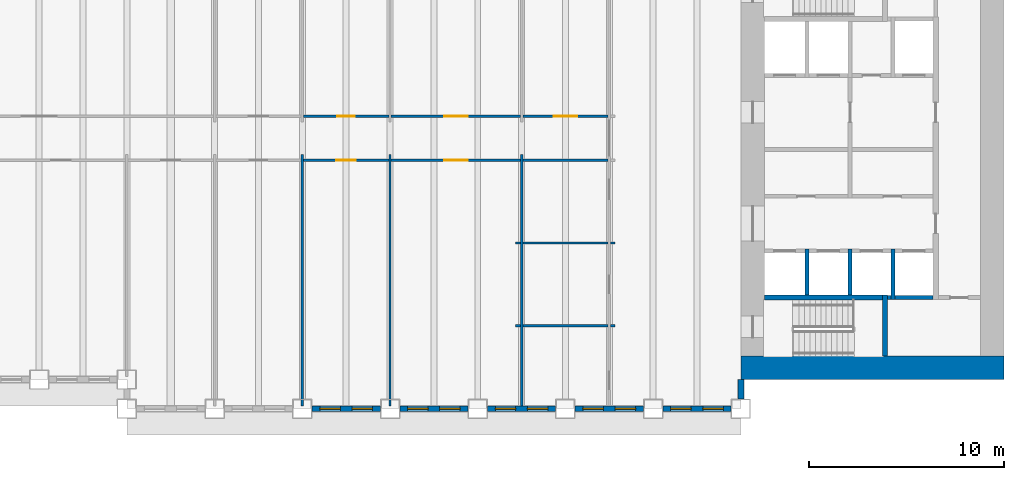
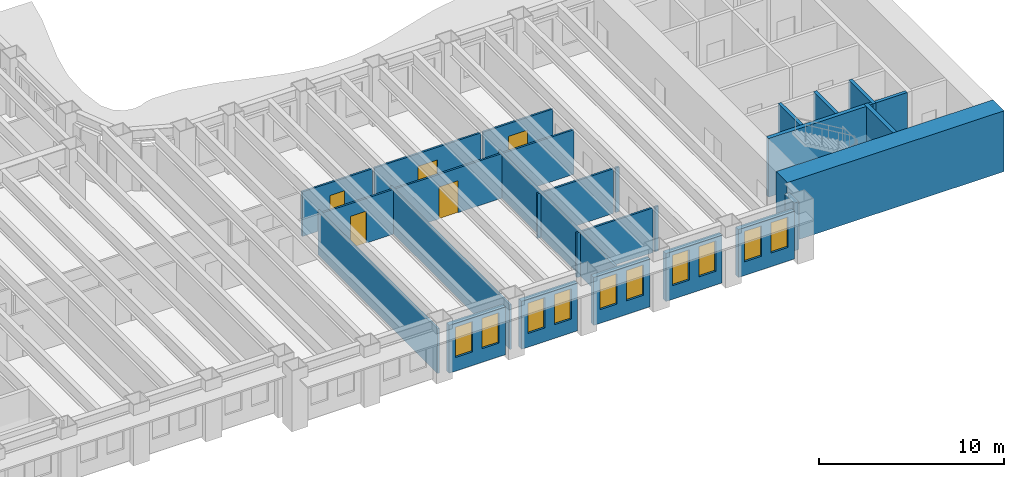
# One storey, part 5 of 16: 29 walls, 10 windows, 5 doors, 15 openings.
"""IFC4 building model written with IfcOpenShell, lengths in metres."""

from ifc_helpers import new_model, si_unit, direction, frame, frame_2d, origin, place, context, subcontext, project, spatial, rectangle, extrude, material, layer, layer_set, type_object, element, fill, save


model = new_model("IFC4")

# Units and contexts
model_context = context("Model", 3, precision=1e-05, world=origin(), true_north=direction((0.0, 1.0)))
body_context = subcontext(model_context, "Body", "Model", "MODEL_VIEW")
ifc_project = project(units=[si_unit("LENGTHUNIT", "METRE"), si_unit("AREAUNIT", "SQUARE_METRE"), si_unit("VOLUMEUNIT", "CUBIC_METRE"), si_unit("PLANEANGLEUNIT", "RADIAN"), si_unit("MASSUNIT", "GRAM", prefix="KILO")], contexts=[model_context])

# Site, building, storey
site_placement = place(None, origin())
site = spatial("IfcSite", under=ifc_project, at=site_placement, CompositionType="ELEMENT")
building_placement = place(site_placement, origin())
building = spatial("IfcBuilding", under=site, at=building_placement, Name="Sennacour Bend Tower", CompositionType="ELEMENT")
storey_placement = place(building_placement, frame((0.0, 0.0, 91.0)))
storey = spatial("IfcBuildingStorey", under=building, at=storey_placement, Name="L20", CompositionType="ELEMENT", Elevation=91.0)

# Walls
ifc_material_1 = material(Name="Concrete C80/95", Category="concrete")
ifc_layer_1 = layer(ifc_material_1, 1.199951171875, Name="Concrete C80/95", Category="concrete")
ifc_layer_set_1 = layer_set([ifc_layer_1], Name="Concrete C80/95")
wall_type_1 = type_object("IfcWallType", Name="Core wall 1200 C80/95", PredefinedType="SHEAR", material=ifc_layer_set_1)
wall_1_placement = place(storey_placement, frame((67.5, 0.60009765625, -0.14990234375), z_axis=(0.0, 0.0, 1.0), x_axis=(-1.0, 0.0, 0.0)))
element("IfcWall", 1, at=wall_1_placement, inside=storey, type_object=wall_type_1, Name="Core A wall L20 S", PredefinedType="SHEAR", context=body_context, shape_type="SweptSolid", body=[
    extrude(rectangle(XDim=13.5, YDim=1.199951171875, at=frame_2d((6.75, 0.0))), origin(), (0.0, 0.0, 1.0), 4.0),
])
ifc_material_2 = material(Name="Plasterboard partition on steel studs", Category="steel")
ifc_layer_2 = layer(ifc_material_2, 0.1201171875, Name="Plasterboard partition on steel studs", Category="steel")
ifc_layer_set_2 = layer_set([ifc_layer_2], Name="Plasterboard partition on steel studs")
wall_type_2 = type_object("IfcWallType", Name="Partition 120", PredefinedType="PARTITIONING", material=ifc_layer_set_2)
for number, where, z_axis, x_axis, name in (
    (2, (31.5, -1.35009765625, 0.0), (0.0, 0.0, 1.0), (0.0, 1.0, 0.0), "P-L20-W028a"),
    (3, (36.0, -1.35009765625, 0.0), (0.0, 0.0, 1.0), (0.0, 1.0, 0.0), "P-L20-W030a"),
    (4, (42.75, -1.35009765625, 0.0), (0.0, 0.0, 1.0), (0.0, 1.0, 0.0), "P-L20-W032a"),
):
    element("IfcWall", number, at=place(storey_placement, frame(where, z_axis=z_axis, x_axis=x_axis)), inside=storey, type_object=wall_type_2, Name=name, PredefinedType="PARTITIONING", context=body_context, shape_type="SweptSolid", body=[
        extrude(rectangle(XDim=12.900146484375, YDim=0.1201171875, at=frame_2d((6.4501953125, 0.0))), origin(), (0.0, 0.0, 1.0), 2.93798828125),
    ])
wall_2_placement = place(storey_placement, frame((42.449951171875, 2.75, 0.0), z_axis=(0.0, 0.0, 1.0), x_axis=(1.0, 0.0, 0.0)))
element("IfcWall", 5, at=wall_2_placement, inside=storey, type_object=wall_type_2, Name="P-L20-W049aa", PredefinedType="PARTITIONING", context=body_context, shape_type="SweptSolid", body=[
    extrude(rectangle(XDim=0.239990234375, YDim=0.1201171875, at=frame_2d((0.1201171875, 0.0))), origin(), (0.0, 0.0, 1.0), 2.93798828125),
])
wall_3_placement = place(storey_placement, frame((42.81005859375, 2.75, 0.0), z_axis=(0.0, 0.0, 1.0), x_axis=(1.0, 0.0, 0.0)))
element("IfcWall", 6, at=wall_3_placement, inside=storey, type_object=wall_type_2, Name="P-L20-W049ab", PredefinedType="PARTITIONING", context=body_context, shape_type="SweptSolid", body=[
    extrude(rectangle(XDim=4.3798828125, YDim=0.1201171875, at=frame_2d((2.18994140625, 0.0))), origin(), (0.0, 0.0, 1.0), 2.93798828125),
])
for number, where, z_axis, x_axis, name in (
    (7, (47.31005859375, 2.75, 0.0), (0.0, 0.0, 1.0), (1.0, 0.0, 0.0), "P-L20-W049ac"),
    (8, (42.449951171875, 7.0, 0.0), (0.0, 0.0, 1.0), (1.0, 0.0, 0.0), "P-L20-W056aa"),
):
    element("IfcWall", number, at=place(storey_placement, frame(where, z_axis=z_axis, x_axis=x_axis)), inside=storey, type_object=wall_type_2, Name=name, PredefinedType="PARTITIONING", context=body_context, shape_type="SweptSolid", body=[
        extrude(rectangle(XDim=0.239990234375, YDim=0.1201171875, at=frame_2d((0.1201171875, 0.0))), origin(), (0.0, 0.0, 1.0), 2.93798828125),
    ])
wall_4_placement = place(storey_placement, frame((42.81005859375, 7.0, 0.0), z_axis=(0.0, 0.0, 1.0), x_axis=(1.0, 0.0, 0.0)))
element("IfcWall", 9, at=wall_4_placement, inside=storey, type_object=wall_type_2, Name="P-L20-W056ab", PredefinedType="PARTITIONING", context=body_context, shape_type="SweptSolid", body=[
    extrude(rectangle(XDim=4.3798828125, YDim=0.1201171875, at=frame_2d((2.18994140625, 0.0))), origin(), (0.0, 0.0, 1.0), 2.93798828125),
])
wall_5_placement = place(storey_placement, frame((47.31005859375, 7.0, 0.0), z_axis=(0.0, 0.0, 1.0), x_axis=(1.0, 0.0, 0.0)))
element("IfcWall", 10, at=wall_5_placement, inside=storey, type_object=wall_type_2, Name="P-L20-W056ac", PredefinedType="PARTITIONING", context=body_context, shape_type="SweptSolid", body=[
    extrude(rectangle(XDim=0.239990234375, YDim=0.1201171875, at=frame_2d((0.1201171875, 0.0))), origin(), (0.0, 0.0, 1.0), 2.93798828125),
])

# Wall, opening, door
wall_6_placement = place(storey_placement, frame((31.56005859375, 11.25, 0.0), z_axis=(0.0, 0.0, 1.0), x_axis=(1.0, 0.0, 0.0)))
wall_6 = element("IfcWall", 11, at=wall_6_placement, inside=storey, type_object=wall_type_2, Name="P-L20-W058af", PredefinedType="PARTITIONING", context=body_context, shape_type="SweptSolid", body=[
    extrude(rectangle(XDim=4.3798828125, YDim=0.1201171875, at=frame_2d((2.18994140625, 0.0))), origin(), (0.0, 0.0, 1.0), 2.93798828125),
])
opening_1_placement = place(wall_6_placement, frame((1.68994140625, 0.0, 0.0)))
opening_1 = element("IfcOpeningElement", 12, at=opening_1_placement, cuts=wall_6, Name="Opening MD2", PredefinedType="OPENING", context=body_context, shape_type="SweptSolid", body=[
    extrude(rectangle(XDim=1.0, YDim=2.10009765625, at=frame_2d((0.5, 1.050048828125))), frame((0.0, 0.070068359375, 0.0), z_axis=(0.0, -1.0, 0.0), x_axis=(1.0, 0.0, 0.0)), (0.0, 0.0, 1.0), 0.14013671875),
])
ifc_material_3 = material(Name="Timber", Category="wood")
door_type_1 = type_object("IfcDoorType", Name="DR-MEETING-1000", OperationType="NOTDEFINED", PredefinedType="DOOR", material=ifc_material_3)
door_1_placement = place(opening_1_placement, origin())
door_1 = element("IfcDoor", 13, at=door_1_placement, inside=storey, type_object=door_type_1, Name="Door", OperationType="SINGLE_SWING_LEFT", OverallHeight=2.10009765625, OverallWidth=1.0, PredefinedType="DOOR", context=body_context, shape_type="SweptSolid", body=[
    extrude(rectangle(XDim=1.0, YDim=2.10009765625, at=frame_2d((0.5, 1.050048828125))), frame((0.0, 0.02490234375, 0.0), z_axis=(0.0, -1.0, 0.0), x_axis=(1.0, 0.0, 0.0)), (0.0, 0.0, 1.0), 0.050048828125),
])
fill(opening_1, door_1)

wall_7_placement = place(storey_placement, frame((36.06005859375, 11.25, 0.0), z_axis=(0.0, 0.0, 1.0), x_axis=(1.0, 0.0, 0.0)))
wall_7 = element("IfcWall", 14, at=wall_7_placement, inside=storey, type_object=wall_type_2, Name="P-L20-W058ag", PredefinedType="PARTITIONING", context=body_context, shape_type="SweptSolid", body=[
    extrude(rectangle(XDim=6.6298828125, YDim=0.1201171875, at=frame_2d((3.31494140625, 0.0))), origin(), (0.0, 0.0, 1.0), 2.93798828125),
])
opening_2_placement = place(wall_7_placement, frame((2.71484375, 0.0, 0.0)))
opening_2 = element("IfcOpeningElement", 15, at=opening_2_placement, cuts=wall_7, Name="Opening OD", PredefinedType="OPENING", context=body_context, shape_type="SweptSolid", body=[
    extrude(rectangle(XDim=1.199951171875, YDim=2.10009765625, at=frame_2d((0.60009765625, 1.050048828125))), frame((0.0, 0.070068359375, 0.0), z_axis=(0.0, -1.0, 0.0), x_axis=(1.0, 0.0, 0.0)), (0.0, 0.0, 1.0), 0.14013671875),
])
door_type_2 = type_object("IfcDoorType", Name="DR-OFFICE-1200", OperationType="NOTDEFINED", PredefinedType="DOOR", material=ifc_material_3)
door_2_placement = place(opening_2_placement, origin())
door_2 = element("IfcDoor", 16, at=door_2_placement, inside=storey, type_object=door_type_2, Name="Door", OperationType="SINGLE_SWING_LEFT", OverallHeight=2.10009765625, OverallWidth=1.199951171875, PredefinedType="DOOR", context=body_context, shape_type="SweptSolid", body=[
    extrude(rectangle(XDim=1.199951171875, YDim=2.10009765625, at=frame_2d((0.60009765625, 1.050048828125))), frame((0.0, 0.02490234375, 0.0), z_axis=(0.0, -1.0, 0.0), x_axis=(1.0, 0.0, 0.0)), (0.0, 0.0, 1.0), 0.050048828125),
])
fill(opening_2, door_2)

# Wall
wall_8_placement = place(storey_placement, frame((42.81005859375, 11.25, 0.0), z_axis=(0.0, 0.0, 1.0), x_axis=(1.0, 0.0, 0.0)))
element("IfcWall", 17, at=wall_8_placement, inside=storey, type_object=wall_type_2, Name="P-L20-W058ah", PredefinedType="PARTITIONING", context=body_context, shape_type="SweptSolid", body=[
    extrude(rectangle(XDim=4.3798828125, YDim=0.1201171875, at=frame_2d((2.18994140625, 0.0))), origin(), (0.0, 0.0, 1.0), 2.93798828125),
])

# Wall, opening, door
wall_9_placement = place(storey_placement, frame((36.06005859375, 13.5, 0.0), z_axis=(0.0, 0.0, 1.0), x_axis=(1.0, 0.0, 0.0)))
wall_9 = element("IfcWall", 18, at=wall_9_placement, inside=storey, type_object=wall_type_2, Name="P-L20-W060af", PredefinedType="PARTITIONING", context=body_context, shape_type="SweptSolid", body=[
    extrude(rectangle(XDim=6.6298828125, YDim=0.1201171875, at=frame_2d((3.31494140625, 0.0))), origin(), (0.0, 0.0, 1.0), 2.93798828125),
])
opening_3_placement = place(wall_9_placement, frame((2.71484375, 0.0, 0.0)))
opening_3 = element("IfcOpeningElement", 19, at=opening_3_placement, cuts=wall_9, Name="Opening MD", PredefinedType="OPENING", context=body_context, shape_type="SweptSolid", body=[
    extrude(rectangle(XDim=1.199951171875, YDim=2.10009765625, at=frame_2d((0.60009765625, 1.050048828125))), frame((0.0, 0.070068359375, 0.0), z_axis=(0.0, -1.0, 0.0), x_axis=(1.0, 0.0, 0.0)), (0.0, 0.0, 1.0), 0.14013671875),
])
door_type_3 = type_object("IfcDoorType", Name="DR-MEETING-1200", OperationType="NOTDEFINED", PredefinedType="DOOR", material=ifc_material_3)
door_3_placement = place(opening_3_placement, origin())
door_3 = element("IfcDoor", 20, at=door_3_placement, inside=storey, type_object=door_type_3, Name="Door", OperationType="SINGLE_SWING_LEFT", OverallHeight=2.10009765625, OverallWidth=1.199951171875, PredefinedType="DOOR", context=body_context, shape_type="SweptSolid", body=[
    extrude(rectangle(XDim=1.199951171875, YDim=2.10009765625, at=frame_2d((0.60009765625, 1.050048828125))), frame((0.0, 0.02490234375, 0.0), z_axis=(0.0, -1.0, 0.0), x_axis=(1.0, 0.0, 0.0)), (0.0, 0.0, 1.0), 0.050048828125),
])
fill(opening_3, door_3)

wall_10_placement = place(storey_placement, frame((42.81005859375, 13.5, 0.0), z_axis=(0.0, 0.0, 1.0), x_axis=(1.0, 0.0, 0.0)))
wall_10 = element("IfcWall", 21, at=wall_10_placement, inside=storey, type_object=wall_type_2, Name="P-L20-W060ag", PredefinedType="PARTITIONING", context=body_context, shape_type="SweptSolid", body=[
    extrude(rectangle(XDim=4.3798828125, YDim=0.1201171875, at=frame_2d((2.18994140625, 0.0))), origin(), (0.0, 0.0, 1.0), 2.93798828125),
])
opening_4_placement = place(wall_10_placement, frame((1.58984375, 0.0, 0.0)))
opening_4 = element("IfcOpeningElement", 22, at=opening_4_placement, cuts=wall_10, Name="Opening OD", PredefinedType="OPENING", context=body_context, shape_type="SweptSolid", body=[
    extrude(rectangle(XDim=1.199951171875, YDim=2.10009765625, at=frame_2d((0.60009765625, 1.050048828125))), frame((0.0, 0.070068359375, 0.0), z_axis=(0.0, -1.0, 0.0), x_axis=(1.0, 0.0, 0.0)), (0.0, 0.0, 1.0), 0.14013671875),
])
door_4_placement = place(opening_4_placement, origin())
door_4 = element("IfcDoor", 23, at=door_4_placement, inside=storey, type_object=door_type_2, Name="Door", OperationType="SINGLE_SWING_LEFT", OverallHeight=2.10009765625, OverallWidth=1.199951171875, PredefinedType="DOOR", context=body_context, shape_type="SweptSolid", body=[
    extrude(rectangle(XDim=1.199951171875, YDim=2.10009765625, at=frame_2d((0.60009765625, 1.050048828125))), frame((0.0, 0.02490234375, 0.0), z_axis=(0.0, -1.0, 0.0), x_axis=(1.0, 0.0, 0.0)), (0.0, 0.0, 1.0), 0.050048828125),
])
fill(opening_4, door_4)

ifc_layer_3 = layer(ifc_material_2, 0.1201171875, Name="Plasterboard partition on steel studs", Category="steel")
ifc_layer_set_3 = layer_set([ifc_layer_3], Name="Plasterboard partition on steel studs")
wall_type_3 = type_object("IfcWallType", Name="Partition 120 EI 60", PredefinedType="PARTITIONING", material=ifc_layer_set_3)
wall_11_placement = place(storey_placement, frame((31.56005859375, 13.5, 0.0), z_axis=(0.0, 0.0, 1.0), x_axis=(1.0, 0.0, 0.0)))
wall_11 = element("IfcWall", 24, at=wall_11_placement, inside=storey, type_object=wall_type_3, Name="P-L20-W060ae", PredefinedType="PARTITIONING", context=body_context, shape_type="SweptSolid", body=[
    extrude(rectangle(XDim=4.3798828125, YDim=0.1201171875, at=frame_2d((2.18994140625, 0.0))), origin(), (0.0, 0.0, 1.0), 2.93798828125),
])
opening_5_placement = place(wall_11_placement, frame((1.739990234375, 0.0, 0.0)))
opening_5 = element("IfcOpeningElement", 25, at=opening_5_placement, cuts=wall_11, Name="Opening SV", PredefinedType="OPENING", context=body_context, shape_type="SweptSolid", body=[
    extrude(rectangle(XDim=0.89990234375, YDim=2.10009765625, at=frame_2d((0.449951171875, 1.050048828125))), frame((0.0, 0.070068359375, 0.0), z_axis=(0.0, -1.0, 0.0), x_axis=(1.0, 0.0, 0.0)), (0.0, 0.0, 1.0), 0.14013671875),
])
ifc_material_4 = material(Name="Painted steel", Category="steel")
door_type_4 = type_object("IfcDoorType", Name="DR-SERVICE-900", OperationType="NOTDEFINED", PredefinedType="DOOR", material=ifc_material_4)
door_5_placement = place(opening_5_placement, origin())
door_5 = element("IfcDoor", 26, at=door_5_placement, inside=storey, type_object=door_type_4, Name="Door", OperationType="SINGLE_SWING_LEFT", OverallHeight=2.10009765625, OverallWidth=0.89990234375, PredefinedType="DOOR", context=body_context, shape_type="SweptSolid", body=[
    extrude(rectangle(XDim=0.89990234375, YDim=2.10009765625, at=frame_2d((0.449951171875, 1.050048828125))), frame((0.0, 0.02490234375, 0.0), z_axis=(0.0, -1.0, 0.0), x_axis=(1.0, 0.0, 0.0)), (0.0, 0.0, 1.0), 0.050048828125),
])
fill(opening_5, door_5)

# Wall, openings, windows
ifc_material_5 = material(Name="Warm limestone cladding", Category="masonry")
ifc_layer_4 = layer(ifc_material_5, 0.050048828125, Name="Warm limestone cladding", Category="masonry")
ifc_material_6 = material(Name="Precast concrete C40/50", Category="concrete")
ifc_layer_5 = layer(ifc_material_6, 0.25, Name="Precast concrete C40/50", Category="concrete")
ifc_layer_set_4 = layer_set([ifc_layer_4, ifc_layer_5], Name="Precast concrete C40/50 with limestone cladding")
wall_type_4 = type_object("IfcWallType", Name="STONE-CLAD PRECAST SPANDREL 300", PredefinedType="STANDARD", material=ifc_layer_set_4)
wall_12_placement = place(storey_placement, frame((32.0, -1.5, 0.0), z_axis=(0.0, 0.0, 1.0), x_axis=(1.0, 0.0, 0.0)))
wall_12 = element("IfcWall", 27, at=wall_12_placement, inside=storey, type_object=wall_type_4, Name="Stone spandrel and pier wall L20 00.02", PredefinedType="STANDARD", context=body_context, shape_type="SweptSolid", body=[
    extrude(rectangle(XDim=3.5, YDim=0.300048828125, at=frame_2d((1.75, 0.0))), origin(), (0.0, 0.0, 1.0), 3.154052734375),
])
opening_6_placement = place(wall_12_placement, frame((0.39990234375, 0.0, 0.89990234375)))
opening_6 = element("IfcOpeningElement", 28, at=opening_6_placement, cuts=wall_12, Name="Opening W13", PredefinedType="OPENING", context=body_context, shape_type="SweptSolid", body=[
    extrude(rectangle(XDim=1.050048828125, YDim=2.0, at=frame_2d((0.52490234375, 1.0))), frame((0.0, 0.16015625, 0.0), z_axis=(0.0, -1.0, 0.0), x_axis=(1.0, 0.0, 0.0)), (0.0, 0.0, 1.0), 0.320068359375),
])
opening_7_placement = place(wall_12_placement, frame((2.050048828125, 0.0, 0.89990234375)))
opening_7 = element("IfcOpeningElement", 29, at=opening_7_placement, cuts=wall_12, Name="Opening W13", PredefinedType="OPENING", context=body_context, shape_type="SweptSolid", body=[
    extrude(rectangle(XDim=1.050048828125, YDim=2.0, at=frame_2d((0.52490234375, 1.0))), frame((0.0, 0.16015625, 0.0), z_axis=(0.0, -1.0, 0.0), x_axis=(1.0, 0.0, 0.0)), (0.0, 0.0, 1.0), 0.320068359375),
])
ifc_material_7 = material(Name="Clear low-emissivity glass", Category="glass")
window_type = type_object("IfcWindowType", Name="WIN-RIBBON-1050x2000", PartitioningType="SINGLE_PANEL", PredefinedType="WINDOW", material=ifc_material_7)
window_1_placement = place(opening_6_placement, origin())
window_1 = element("IfcWindow", 30, at=window_1_placement, inside=storey, type_object=window_type, Name="Ribbon window L20 00.02.0", OverallHeight=2.0, OverallWidth=1.050048828125, PartitioningType="SINGLE_PANEL", PredefinedType="WINDOW", context=body_context, shape_type="SweptSolid", body=[
    extrude(rectangle(XDim=1.050048828125, YDim=2.0, at=frame_2d((0.52490234375, 1.0))), frame((0.0, 0.030029296875, 0.0), z_axis=(0.0, -1.0, 0.0), x_axis=(1.0, 0.0, 0.0)), (0.0, 0.0, 1.0), 0.06005859375),
])
fill(opening_6, window_1)
window_2_placement = place(opening_7_placement, origin())
window_2 = element("IfcWindow", 31, at=window_2_placement, inside=storey, type_object=window_type, Name="Ribbon window L20 00.02.1", OverallHeight=2.0, OverallWidth=1.050048828125, PartitioningType="SINGLE_PANEL", PredefinedType="WINDOW", context=body_context, shape_type="SweptSolid", body=[
    extrude(rectangle(XDim=1.050048828125, YDim=2.0, at=frame_2d((0.52490234375, 1.0))), frame((0.0, 0.030029296875, 0.0), z_axis=(0.0, -1.0, 0.0), x_axis=(1.0, 0.0, 0.0)), (0.0, 0.0, 1.0), 0.06005859375),
])
fill(opening_7, window_2)

wall_13_placement = place(storey_placement, frame((36.5, -1.5, 0.0), z_axis=(0.0, 0.0, 1.0), x_axis=(1.0, 0.0, 0.0)))
wall_13 = element("IfcWall", 32, at=wall_13_placement, inside=storey, type_object=wall_type_4, Name="Stone spandrel and pier wall L20 00.03", PredefinedType="STANDARD", context=body_context, shape_type="SweptSolid", body=[
    extrude(rectangle(XDim=3.5, YDim=0.300048828125, at=frame_2d((1.75, 0.0))), origin(), (0.0, 0.0, 1.0), 3.154052734375),
])
opening_8_placement = place(wall_13_placement, frame((0.39990234375, 0.0, 0.89990234375)))
opening_8 = element("IfcOpeningElement", 33, at=opening_8_placement, cuts=wall_13, Name="Opening W13", PredefinedType="OPENING", context=body_context, shape_type="SweptSolid", body=[
    extrude(rectangle(XDim=1.050048828125, YDim=2.0, at=frame_2d((0.52490234375, 1.0))), frame((0.0, 0.16015625, 0.0), z_axis=(0.0, -1.0, 0.0), x_axis=(1.0, 0.0, 0.0)), (0.0, 0.0, 1.0), 0.320068359375),
])
opening_9_placement = place(wall_13_placement, frame((2.050048828125, 0.0, 0.89990234375)))
opening_9 = element("IfcOpeningElement", 34, at=opening_9_placement, cuts=wall_13, Name="Opening W13", PredefinedType="OPENING", context=body_context, shape_type="SweptSolid", body=[
    extrude(rectangle(XDim=1.050048828125, YDim=2.0, at=frame_2d((0.52490234375, 1.0))), frame((0.0, 0.16015625, 0.0), z_axis=(0.0, -1.0, 0.0), x_axis=(1.0, 0.0, 0.0)), (0.0, 0.0, 1.0), 0.320068359375),
])
window_3_placement = place(opening_8_placement, origin())
window_3 = element("IfcWindow", 35, at=window_3_placement, inside=storey, type_object=window_type, Name="Ribbon window L20 00.03.0", OverallHeight=2.0, OverallWidth=1.050048828125, PartitioningType="SINGLE_PANEL", PredefinedType="WINDOW", context=body_context, shape_type="SweptSolid", body=[
    extrude(rectangle(XDim=1.050048828125, YDim=2.0, at=frame_2d((0.52490234375, 1.0))), frame((0.0, 0.030029296875, 0.0), z_axis=(0.0, -1.0, 0.0), x_axis=(1.0, 0.0, 0.0)), (0.0, 0.0, 1.0), 0.06005859375),
])
fill(opening_8, window_3)
window_4_placement = place(opening_9_placement, origin())
window_4 = element("IfcWindow", 36, at=window_4_placement, inside=storey, type_object=window_type, Name="Ribbon window L20 00.03.1", OverallHeight=2.0, OverallWidth=1.050048828125, PartitioningType="SINGLE_PANEL", PredefinedType="WINDOW", context=body_context, shape_type="SweptSolid", body=[
    extrude(rectangle(XDim=1.050048828125, YDim=2.0, at=frame_2d((0.52490234375, 1.0))), frame((0.0, 0.030029296875, 0.0), z_axis=(0.0, -1.0, 0.0), x_axis=(1.0, 0.0, 0.0)), (0.0, 0.0, 1.0), 0.06005859375),
])
fill(opening_9, window_4)

wall_14_placement = place(storey_placement, frame((41.0, -1.5, 0.0), z_axis=(0.0, 0.0, 1.0), x_axis=(1.0, 0.0, 0.0)))
wall_14 = element("IfcWall", 37, at=wall_14_placement, inside=storey, type_object=wall_type_4, Name="Stone spandrel and pier wall L20 00.04", PredefinedType="STANDARD", context=body_context, shape_type="SweptSolid", body=[
    extrude(rectangle(XDim=3.5, YDim=0.300048828125, at=frame_2d((1.75, 0.0))), origin(), (0.0, 0.0, 1.0), 3.154052734375),
])
opening_10_placement = place(wall_14_placement, frame((0.39990234375, 0.0, 0.89990234375)))
opening_10 = element("IfcOpeningElement", 38, at=opening_10_placement, cuts=wall_14, Name="Opening W13", PredefinedType="OPENING", context=body_context, shape_type="SweptSolid", body=[
    extrude(rectangle(XDim=1.050048828125, YDim=2.0, at=frame_2d((0.52490234375, 1.0))), frame((0.0, 0.16015625, 0.0), z_axis=(0.0, -1.0, 0.0), x_axis=(1.0, 0.0, 0.0)), (0.0, 0.0, 1.0), 0.320068359375),
])
opening_11_placement = place(wall_14_placement, frame((2.050048828125, 0.0, 0.89990234375)))
opening_11 = element("IfcOpeningElement", 39, at=opening_11_placement, cuts=wall_14, Name="Opening W13", PredefinedType="OPENING", context=body_context, shape_type="SweptSolid", body=[
    extrude(rectangle(XDim=1.050048828125, YDim=2.0, at=frame_2d((0.52490234375, 1.0))), frame((0.0, 0.16015625, 0.0), z_axis=(0.0, -1.0, 0.0), x_axis=(1.0, 0.0, 0.0)), (0.0, 0.0, 1.0), 0.320068359375),
])
window_5_placement = place(opening_10_placement, origin())
window_5 = element("IfcWindow", 40, at=window_5_placement, inside=storey, type_object=window_type, Name="Ribbon window L20 00.04.0", OverallHeight=2.0, OverallWidth=1.050048828125, PartitioningType="SINGLE_PANEL", PredefinedType="WINDOW", context=body_context, shape_type="SweptSolid", body=[
    extrude(rectangle(XDim=1.050048828125, YDim=2.0, at=frame_2d((0.52490234375, 1.0))), frame((0.0, 0.030029296875, 0.0), z_axis=(0.0, -1.0, 0.0), x_axis=(1.0, 0.0, 0.0)), (0.0, 0.0, 1.0), 0.06005859375),
])
fill(opening_10, window_5)
window_6_placement = place(opening_11_placement, origin())
window_6 = element("IfcWindow", 41, at=window_6_placement, inside=storey, type_object=window_type, Name="Ribbon window L20 00.04.1", OverallHeight=2.0, OverallWidth=1.050048828125, PartitioningType="SINGLE_PANEL", PredefinedType="WINDOW", context=body_context, shape_type="SweptSolid", body=[
    extrude(rectangle(XDim=1.050048828125, YDim=2.0, at=frame_2d((0.52490234375, 1.0))), frame((0.0, 0.030029296875, 0.0), z_axis=(0.0, -1.0, 0.0), x_axis=(1.0, 0.0, 0.0)), (0.0, 0.0, 1.0), 0.06005859375),
])
fill(opening_11, window_6)

wall_15_placement = place(storey_placement, frame((45.5, -1.5, 0.0), z_axis=(0.0, 0.0, 1.0), x_axis=(1.0, 0.0, 0.0)))
wall_15 = element("IfcWall", 42, at=wall_15_placement, inside=storey, type_object=wall_type_4, Name="Stone spandrel and pier wall L20 00.05", PredefinedType="STANDARD", context=body_context, shape_type="SweptSolid", body=[
    extrude(rectangle(XDim=3.5, YDim=0.300048828125, at=frame_2d((1.75, 0.0))), origin(), (0.0, 0.0, 1.0), 3.154052734375),
])
opening_12_placement = place(wall_15_placement, frame((0.39990234375, 0.0, 0.89990234375)))
opening_12 = element("IfcOpeningElement", 43, at=opening_12_placement, cuts=wall_15, Name="Opening W13", PredefinedType="OPENING", context=body_context, shape_type="SweptSolid", body=[
    extrude(rectangle(XDim=1.050048828125, YDim=2.0, at=frame_2d((0.52490234375, 1.0))), frame((0.0, 0.16015625, 0.0), z_axis=(0.0, -1.0, 0.0), x_axis=(1.0, 0.0, 0.0)), (0.0, 0.0, 1.0), 0.320068359375),
])
opening_13_placement = place(wall_15_placement, frame((2.050048828125, 0.0, 0.89990234375)))
opening_13 = element("IfcOpeningElement", 44, at=opening_13_placement, cuts=wall_15, Name="Opening W13", PredefinedType="OPENING", context=body_context, shape_type="SweptSolid", body=[
    extrude(rectangle(XDim=1.050048828125, YDim=2.0, at=frame_2d((0.52490234375, 1.0))), frame((0.0, 0.16015625, 0.0), z_axis=(0.0, -1.0, 0.0), x_axis=(1.0, 0.0, 0.0)), (0.0, 0.0, 1.0), 0.320068359375),
])
window_7_placement = place(opening_12_placement, origin())
window_7 = element("IfcWindow", 45, at=window_7_placement, inside=storey, type_object=window_type, Name="Ribbon window L20 00.05.0", OverallHeight=2.0, OverallWidth=1.050048828125, PartitioningType="SINGLE_PANEL", PredefinedType="WINDOW", context=body_context, shape_type="SweptSolid", body=[
    extrude(rectangle(XDim=1.050048828125, YDim=2.0, at=frame_2d((0.52490234375, 1.0))), frame((0.0, 0.030029296875, 0.0), z_axis=(0.0, -1.0, 0.0), x_axis=(1.0, 0.0, 0.0)), (0.0, 0.0, 1.0), 0.06005859375),
])
fill(opening_12, window_7)
window_8_placement = place(opening_13_placement, origin())
window_8 = element("IfcWindow", 46, at=window_8_placement, inside=storey, type_object=window_type, Name="Ribbon window L20 00.05.1", OverallHeight=2.0, OverallWidth=1.050048828125, PartitioningType="SINGLE_PANEL", PredefinedType="WINDOW", context=body_context, shape_type="SweptSolid", body=[
    extrude(rectangle(XDim=1.050048828125, YDim=2.0, at=frame_2d((0.52490234375, 1.0))), frame((0.0, 0.030029296875, 0.0), z_axis=(0.0, -1.0, 0.0), x_axis=(1.0, 0.0, 0.0)), (0.0, 0.0, 1.0), 0.06005859375),
])
fill(opening_13, window_8)

wall_16_placement = place(storey_placement, frame((50.0, -1.5, 0.0), z_axis=(0.0, 0.0, 1.0), x_axis=(1.0, 0.0, 0.0)))
wall_16 = element("IfcWall", 47, at=wall_16_placement, inside=storey, type_object=wall_type_4, Name="Stone spandrel and pier wall L20 00.06", PredefinedType="STANDARD", context=body_context, shape_type="SweptSolid", body=[
    extrude(rectangle(XDim=3.5, YDim=0.300048828125, at=frame_2d((1.75, 0.0))), origin(), (0.0, 0.0, 1.0), 3.154052734375),
])
opening_14_placement = place(wall_16_placement, frame((0.39990234375, 0.0, 0.89990234375)))
opening_14 = element("IfcOpeningElement", 48, at=opening_14_placement, cuts=wall_16, Name="Opening W13", PredefinedType="OPENING", context=body_context, shape_type="SweptSolid", body=[
    extrude(rectangle(XDim=1.050048828125, YDim=2.0, at=frame_2d((0.52490234375, 1.0))), frame((0.0, 0.16015625, 0.0), z_axis=(0.0, -1.0, 0.0), x_axis=(1.0, 0.0, 0.0)), (0.0, 0.0, 1.0), 0.320068359375),
])
opening_15_placement = place(wall_16_placement, frame((2.050048828125, 0.0, 0.89990234375)))
opening_15 = element("IfcOpeningElement", 49, at=opening_15_placement, cuts=wall_16, Name="Opening W13", PredefinedType="OPENING", context=body_context, shape_type="SweptSolid", body=[
    extrude(rectangle(XDim=1.050048828125, YDim=2.0, at=frame_2d((0.52490234375, 1.0))), frame((0.0, 0.16015625, 0.0), z_axis=(0.0, -1.0, 0.0), x_axis=(1.0, 0.0, 0.0)), (0.0, 0.0, 1.0), 0.320068359375),
])
window_9_placement = place(opening_14_placement, origin())
window_9 = element("IfcWindow", 50, at=window_9_placement, inside=storey, type_object=window_type, Name="Ribbon window L20 00.06.0", OverallHeight=2.0, OverallWidth=1.050048828125, PartitioningType="SINGLE_PANEL", PredefinedType="WINDOW", context=body_context, shape_type="SweptSolid", body=[
    extrude(rectangle(XDim=1.050048828125, YDim=2.0, at=frame_2d((0.52490234375, 1.0))), frame((0.0, 0.030029296875, 0.0), z_axis=(0.0, -1.0, 0.0), x_axis=(1.0, 0.0, 0.0)), (0.0, 0.0, 1.0), 0.06005859375),
])
fill(opening_14, window_9)
window_10_placement = place(opening_15_placement, origin())
window_10 = element("IfcWindow", 51, at=window_10_placement, inside=storey, type_object=window_type, Name="Ribbon window L20 00.06.1", OverallHeight=2.0, OverallWidth=1.050048828125, PartitioningType="SINGLE_PANEL", PredefinedType="WINDOW", context=body_context, shape_type="SweptSolid", body=[
    extrude(rectangle(XDim=1.050048828125, YDim=2.0, at=frame_2d((0.52490234375, 1.0))), frame((0.0, 0.030029296875, 0.0), z_axis=(0.0, -1.0, 0.0), x_axis=(1.0, 0.0, 0.0)), (0.0, 0.0, 1.0), 0.06005859375),
])
fill(opening_15, window_10)

# Walls
wall_17_placement = place(storey_placement, frame((54.0, -1.0, 0.0), z_axis=(0.0, 0.0, 1.0), x_axis=(0.0, 1.0, 0.0)))
element("IfcWall", 52, at=wall_17_placement, inside=storey, type_object=wall_type_4, Name="Stone spandrel and pier wall L20 01.00", PredefinedType="STANDARD", context=body_context, shape_type="SweptSolid", body=[
    extrude(rectangle(XDim=1.0, YDim=0.300048828125, at=frame_2d((0.5, 0.0))), origin(), (0.0, 0.0, 1.0), 3.154052734375),
])
ifc_material_8 = material(Name="Concrete C50/60", Category="concrete")
ifc_layer_6 = layer(ifc_material_8, 0.199951171875, Name="Concrete C50/60", Category="concrete")
ifc_layer_set_5 = layer_set([ifc_layer_6], Name="Concrete C50/60")
wall_type_5 = type_object("IfcWallType", Name="Shaft wall 200", PredefinedType="SOLIDWALL", material=ifc_layer_set_5)
for number, where, z_axis, x_axis, name in (
    (53, (57.39990234375, 4.324951171875, 0.0), (0.0, 0.0, 1.0), (0.0, 1.0, 0.0), "P-L20-W036"),
    (54, (59.60009765625, 4.324951171875, 0.0), (0.0, 0.0, 1.0), (0.0, 1.0, 0.0), "P-L20-W038"),
):
    element("IfcWall", number, at=place(storey_placement, frame(where, z_axis=z_axis, x_axis=x_axis)), inside=storey, type_object=wall_type_5, Name=name, PredefinedType="SOLIDWALL", context=body_context, shape_type="SweptSolid", body=[
        extrude(rectangle(XDim=2.375, YDim=0.199951171875, at=frame_2d((1.1875, 0.0))), origin(), (0.0, 0.0, 1.0), 3.85009765625),
    ])
wall_18_placement = place(storey_placement, frame((61.800048828125, 4.10009765625, 0.0), z_axis=(0.0, 0.0, 1.0), x_axis=(0.0, 1.0, 0.0)))
element("IfcWall", 55, at=wall_18_placement, inside=storey, type_object=wall_type_5, Name="P-L20-W043", PredefinedType="SOLIDWALL", context=body_context, shape_type="SweptSolid", body=[
    extrude(rectangle(XDim=2.599853515625, YDim=0.199951171875, at=frame_2d((1.2998046875, 0.0))), origin(), (0.0, 0.0, 1.0), 3.85009765625),
])
wall_19_placement = place(storey_placement, frame((61.52490234375, 4.199951171875, 0.0), z_axis=(0.0, 0.0, 1.0), x_axis=(1.0, 0.0, 0.0)))
element("IfcWall", 56, at=wall_19_placement, inside=storey, type_object=wall_type_5, Name="P-L20-W053a", PredefinedType="SOLIDWALL", context=body_context, shape_type="SweptSolid", body=[
    extrude(rectangle(XDim=0.175048828125, YDim=0.199951171875, at=frame_2d((0.08740234375, 0.0))), origin(), (0.0, 0.0, 1.0), 3.85009765625),
])
wall_20_placement = place(storey_placement, frame((61.89990234375, 4.199951171875, 0.0), z_axis=(0.0, 0.0, 1.0), x_axis=(1.0, 0.0, 0.0)))
element("IfcWall", 57, at=wall_20_placement, inside=storey, type_object=wall_type_5, Name="P-L20-W053b", PredefinedType="SOLIDWALL", context=body_context, shape_type="SweptSolid", body=[
    extrude(rectangle(XDim=1.9501953125, YDim=0.199951171875, at=frame_2d((0.97509765625, 0.0))), origin(), (0.0, 0.0, 1.0), 3.85009765625),
])
ifc_material_9 = material(Name="Concrete C60/75", Category="concrete")
ifc_layer_7 = layer(ifc_material_9, 0.25, Name="Concrete C60/75", Category="concrete")
ifc_layer_set_6 = layer_set([ifc_layer_7], Name="Concrete C60/75")
wall_type_6 = type_object("IfcWallType", Name="Stair wall 250", PredefinedType="SHEAR", material=ifc_layer_set_6)
wall_21_placement = place(storey_placement, frame((61.39990234375, 1.199951171875, 0.0), z_axis=(0.0, 0.0, 1.0), x_axis=(0.0, 1.0, 0.0)))
element("IfcWall", 58, at=wall_21_placement, inside=storey, type_object=wall_type_6, Name="P-L20-W041", PredefinedType="SHEAR", context=body_context, shape_type="SweptSolid", body=[
    extrude(rectangle(XDim=3.125, YDim=0.25, at=frame_2d((1.5625, 0.0))), origin(), (0.0, 0.0, 1.0), 3.85009765625),
])
wall_22_placement = place(storey_placement, frame((55.199951171875, 4.199951171875, 0.0), z_axis=(0.0, 0.0, 1.0), x_axis=(1.0, 0.0, 0.0)))
element("IfcWall", 59, at=wall_22_placement, inside=storey, type_object=wall_type_6, Name="P-L20-W052", PredefinedType="SHEAR", context=body_context, shape_type="SweptSolid", body=[
    extrude(rectangle(XDim=6.074951171875, YDim=0.25, at=frame_2d((3.03759765625, 0.0))), origin(), (0.0, 0.0, 1.0), 3.85009765625),
])

save(model, "model.ifc")
